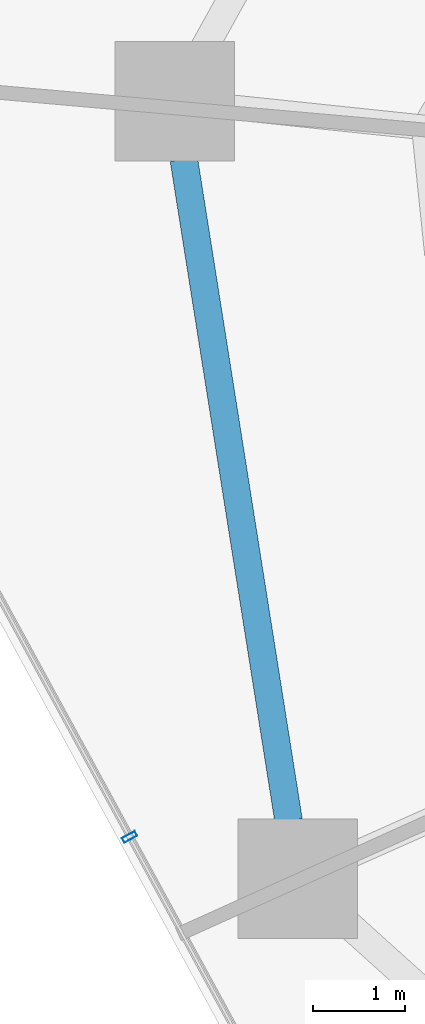
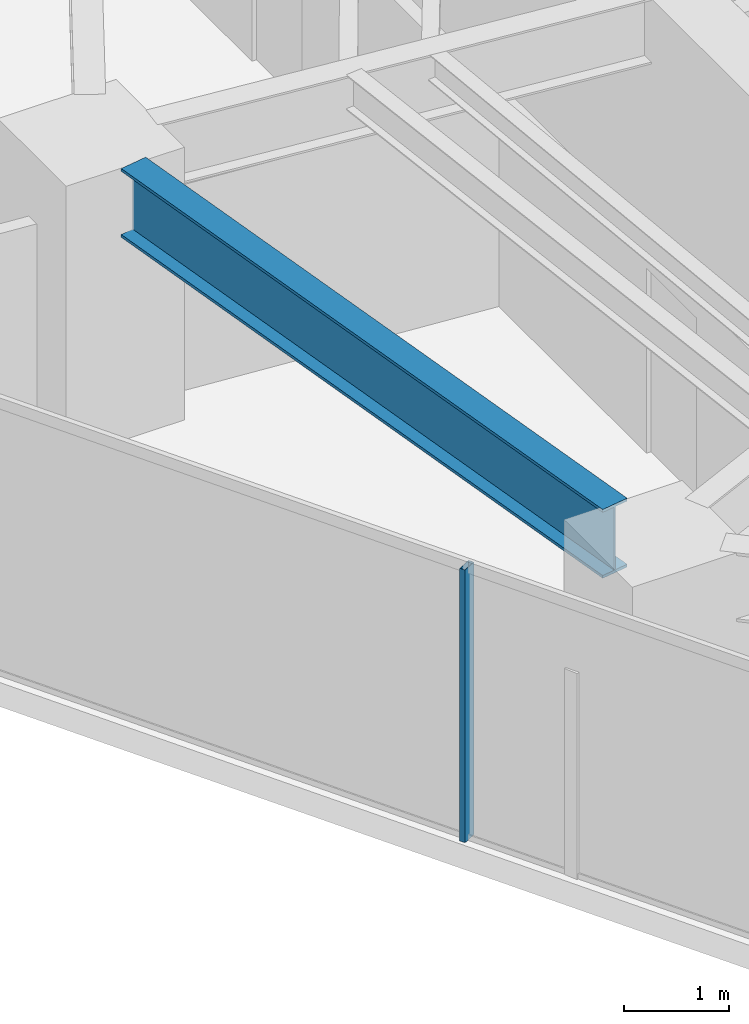
# One storey, part 7 of 30: 1 beam, 1 member, 1 element without a shape of its own.
"""IFC4 building model written with IfcOpenShell, lengths in metres."""

from ifc_helpers import new_model, si_unit, direction, frame, origin, origin_2d, place, context, subcontext, project, spatial, hollow_rectangle, i_section, extrude, material, layer, layer_set, material_profile, profile_set, type_object, element, aggregate, save


model = new_model("IFC4")

# Units and contexts
model_context = context("Model", 3, precision=1e-05, world=origin(), true_north=direction((0.0, 1.0)))
body_context = subcontext(model_context, "Body", "Model", "MODEL_VIEW")
ifc_project = project(units=[si_unit("LENGTHUNIT", "METRE"), si_unit("AREAUNIT", "SQUARE_METRE"), si_unit("VOLUMEUNIT", "CUBIC_METRE"), si_unit("PLANEANGLEUNIT", "RADIAN"), si_unit("MASSUNIT", "GRAM", prefix="KILO")], contexts=[model_context])

# Site, building, storey
site_placement = place(None, origin())
site = spatial("IfcSite", under=ifc_project, at=site_placement, CompositionType="ELEMENT")
building_placement = place(site_placement, origin())
building = spatial("IfcBuilding", under=site, at=building_placement, Name="Qarnah Convention Tower", CompositionType="ELEMENT")
storey_placement = place(building_placement, frame((0.0, 0.0, 61.5)))
storey = spatial("IfcBuildingStorey", under=building, at=storey_placement, Name="L15", CompositionType="ELEMENT", Elevation=61.5)

# Beam
ifc_material_1 = material(Name="Structural steel S355JR", Category="steel")
ifc_material_profile_1 = material_profile(ifc_material_1, i_section(OverallWidth=0.300048828125, OverallDepth=0.800048828125, WebThickness=0.01806640625, FlangeThickness=0.032958984375, at=origin_2d()), Name="HEB800")
ifc_profile_set_1 = profile_set([ifc_material_profile_1], Name="Structural steel S355JR")
beam_type = type_object("IfcBeamType", Name="BM-RING-HEB800", PredefinedType="BEAM", material=ifc_profile_set_1)
beam_placement = place(storey_placement, frame((20.841064453125, 27.498046875, 2.77001953125), z_axis=(0.156433977502, -0.987688417814, 0.0), x_axis=(0.987688417814, 0.156433977502, 0.0)))
element("IfcBeam", 1, at=beam_placement, inside=storey, type_object=beam_type, Name="L15 beam BM-L15-SPN-05", PredefinedType="BEAM", context=body_context, shape_type="SweptSolid", body=[
    extrude(i_section(OverallWidth=0.300048828125, OverallDepth=0.800048828125, WebThickness=0.01806640625, FlangeThickness=0.032958984375, at=origin_2d()), origin(), (0.0, 0.0, 1.0), 7.28662109375),
])

# Curtain wall, member
ifc_material_2 = material(Name="Tempered Low-E dark glass", Category="glass")
ifc_layer = layer(ifc_material_2, 0.16796875)
ifc_layer_set = layer_set([ifc_layer], Name="Tempered Low-E dark glass")
curtain_wall_type = type_object("IfcCurtainWallType", Name="CWS-01", PredefinedType="NOTDEFINED", material=ifc_layer_set)
curtain_wall_placement = place(storey_placement, origin())
curtain_wall = element("IfcCurtainWall", 2, at=curtain_wall_placement, inside=storey, type_object=curtain_wall_type, Name="L15 unitised curtain wall CW-L15-F3", PredefinedType="NOTDEFINED")
ifc_material_3 = material(Name="Black anodised aluminium", Category="aluminium")
ifc_material_profile_2 = material_profile(ifc_material_3, hollow_rectangle(XDim=0.06005859375, YDim=0.159912109375, WallThickness=0.00390625, at=origin_2d()), Name="MUL-60X160")
ifc_profile_set_2 = profile_set([ifc_material_profile_2], Name="Black anodised aluminium")
member_type = type_object("IfcMemberType", Name="MUL-T1", PredefinedType="MULLION", material=ifc_profile_set_2)
member_placement = place(storey_placement, frame((20.25048828125, 20.12646484375, 0.0), z_axis=(0.0, 0.0, 1.0), x_axis=(-0.478066483935, 0.878323651588, 0.0)))
member = element("IfcMember", 3, at=member_placement, type_object=member_type, Name="CW-L15-F3 mullion 4", PredefinedType="MULLION", context=body_context, shape_type="SweptSolid", body=[
    extrude(hollow_rectangle(XDim=0.06005859375, YDim=0.159912109375, WallThickness=0.00390625, at=origin_2d()), origin(), (0.0, 0.0, 1.0), 3.169921875),
])
aggregate(curtain_wall, [member])

save(model, "model.ifc")
